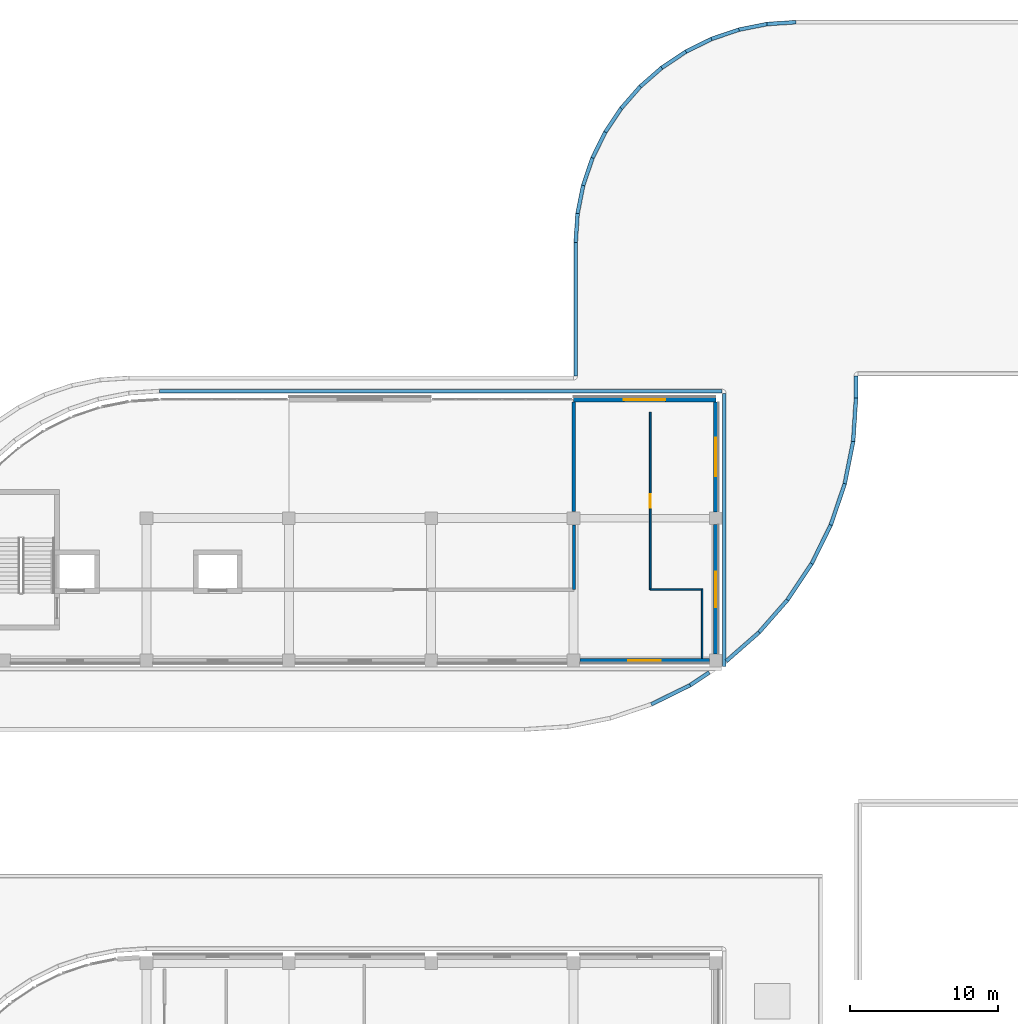
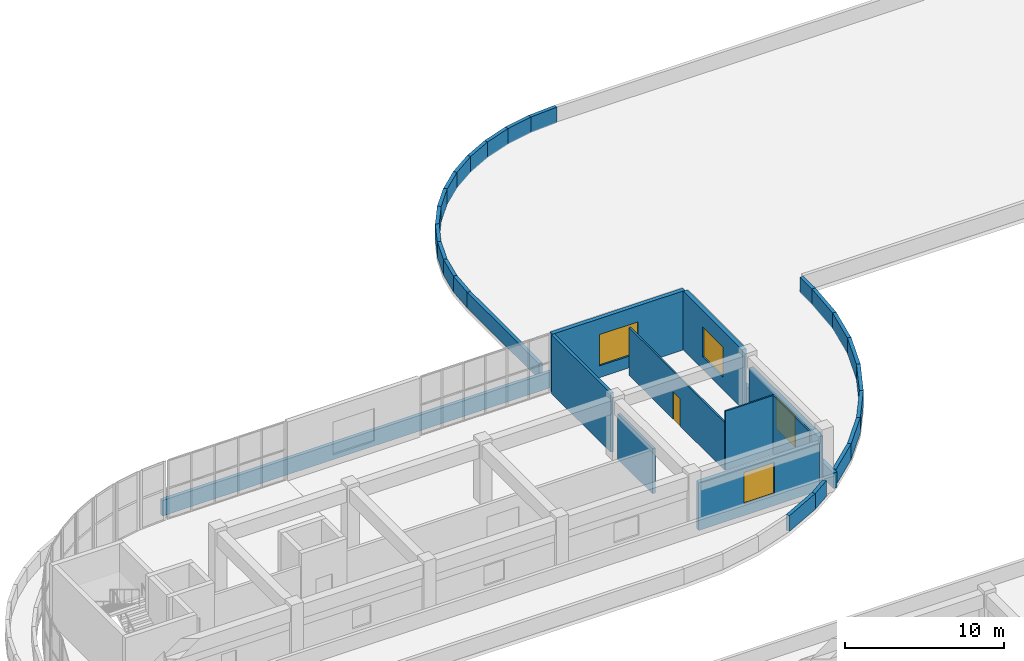
# One storey, part 48 of 67: 34 walls, 4 windows, 1 door, 5 openings.
"""IFC4 building model written with IfcOpenShell, lengths in metres."""

from ifc_helpers import new_model, si_unit, direction, frame, frame_2d, origin, place, context, subcontext, project, spatial, rectangle, extrude, material, layer, layer_set, type_object, element, fill, save


model = new_model("IFC4")

# Units and contexts
model_context = context("Model", 3, precision=1e-05, world=origin(), true_north=direction((0.0, 1.0)))
body_context = subcontext(model_context, "Body", "Model", "MODEL_VIEW")
ifc_project = project(units=[si_unit("LENGTHUNIT", "METRE"), si_unit("AREAUNIT", "SQUARE_METRE"), si_unit("VOLUMEUNIT", "CUBIC_METRE"), si_unit("PLANEANGLEUNIT", "RADIAN"), si_unit("MASSUNIT", "GRAM", prefix="KILO")], contexts=[model_context])

# Site, building, storey
site_placement = place(None, origin())
site = spatial("IfcSite", under=ifc_project, at=site_placement, CompositionType="ELEMENT")
building_placement = place(site_placement, origin())
building = spatial("IfcBuilding", under=site, at=building_placement, Name="Cendralis Terraced Arcade", CompositionType="ELEMENT")
storey_placement = place(building_placement, frame((0.0, 0.0, 15.0)))
storey = spatial("IfcBuildingStorey", under=building, at=storey_placement, Name="L03", CompositionType="ELEMENT", Elevation=15.0)

# Walls
ifc_material_1 = material(Name="Gypsum plasterboard acoustic partition", Category="concrete")
ifc_layer_1 = layer(ifc_material_1, 0.199951171875, Name="WL-ACOU-200")
ifc_layer_set_1 = layer_set([ifc_layer_1], Name="Gypsum plasterboard acoustic partition")
wall_type_1 = type_object("IfcWallType", Name="WL-ACOU-200", PredefinedType="PARTITIONING", material=ifc_layer_set_1)
wall_1_placement = place(storey_placement, frame((48.02001953125, 78.7548828125, 0.0), z_axis=(0.0, 0.0, 1.0), x_axis=(0.0, -1.0, 0.0)))
element("IfcWall", 1, at=wall_1_placement, inside=storey, type_object=wall_type_1, Name="Interior Partition Wall IW-L03-0546", PredefinedType="PARTITIONING", context=body_context, shape_type="SweptSolid", body=[
    extrude(rectangle(XDim=4.375, YDim=0.199951171875, at=frame_2d((2.1875, 0.0))), origin(), (0.0, 0.0, 1.0), 3.4599609375),
])
ifc_layer_2 = layer(ifc_material_1, 0.2099609375, Name="WL-ACOU-210")
ifc_layer_set_2 = layer_set([ifc_layer_2], Name="Gypsum plasterboard acoustic partition")
wall_type_2 = type_object("IfcWallType", Name="WL-ACOU-210", PredefinedType="PARTITIONING", material=ifc_layer_set_2)
wall_2_placement = place(storey_placement, frame((48.02001953125, 87.050048828125, 0.0), z_axis=(0.0, 0.0, 1.0), x_axis=(0.0, -1.0, 0.0)))
element("IfcWall", 2, at=wall_2_placement, inside=storey, type_object=wall_type_2, Name="Interior Partition Wall IW-L03-0544", PredefinedType="PARTITIONING", context=body_context, shape_type="SweptSolid", body=[
    extrude(rectangle(XDim=7.405029296875, YDim=0.2099609375, at=frame_2d((3.70263671875, 0.0))), origin(), (0.0, 0.0, 1.0), 4.52001953125),
])

# Wall, opening, window
ifc_material_2 = material(Name="Precast concrete f'c 40 MPa", Category="concrete")
ifc_layer_3 = layer(ifc_material_2, 0.300048828125, Name="WL-EXT-GRC-300")
ifc_layer_set_3 = layer_set([ifc_layer_3], Name="Precast concrete f'c 40 MPa")
wall_type_3 = type_object("IfcWallType", Name="WL-EXT-GRC-300", PredefinedType="SOLIDWALL", material=ifc_layer_set_3)
wall_3_placement = place(storey_placement, frame((48.0, 87.199951171875, 0.0), z_axis=(0.0, 0.0, 1.0), x_axis=(1.0, 0.0, 0.0)))
wall_3 = element("IfcWall", 3, at=wall_3_placement, inside=storey, type_object=wall_type_3, Name="Exterior Architectural Wall EW-L03-0275", PredefinedType="SOLIDWALL", context=body_context, shape_type="SweptSolid", body=[
    extrude(rectangle(XDim=9.60009765625, YDim=0.300048828125, at=frame_2d((4.800048828125, 0.0))), origin(), (0.0, 0.0, 1.0), 4.52001953125),
])
opening_1_placement = place(wall_3_placement, frame((3.39990234375, 0.0, 0.89990234375)))
opening_1 = element("IfcOpeningElement", 4, at=opening_1_placement, cuts=wall_3, Name="Opening W-09", PredefinedType="OPENING", context=body_context, shape_type="SweptSolid", body=[
    extrude(rectangle(XDim=2.800048828125, YDim=2.39990234375, at=frame_2d((1.39990234375, 1.199951171875))), frame((0.0, 0.162109375, 0.0), z_axis=(0.0, -1.0, 0.0), x_axis=(1.0, 0.0, 0.0)), (0.0, 0.0, 1.0), 0.323974609375),
])
ifc_material_3 = material(Name="Tempered solar control laminated glass", Category="glass")
window_type_1 = type_object("IfcWindowType", Name="WN-F2-2800x2400", PartitioningType="SINGLE_PANEL", PredefinedType="WINDOW", material=ifc_material_3)
window_1_placement = place(opening_1_placement, origin())
window_1 = element("IfcWindow", 5, at=window_1_placement, inside=storey, type_object=window_type_1, Name="Exterior Solar-Control Window WN-L03-0182", OverallHeight=2.39990234375, OverallWidth=2.800048828125, PartitioningType="SINGLE_PANEL", PredefinedType="WINDOW", context=body_context, shape_type="SweptSolid", body=[
    extrude(rectangle(XDim=2.800048828125, YDim=2.39990234375, at=frame_2d((1.39990234375, 1.199951171875))), frame((0.0, 0.030029296875, 0.0), z_axis=(0.0, -1.0, 0.0), x_axis=(1.0, 0.0, 0.0)), (0.0, 0.0, 1.0), 0.06005859375),
])
fill(opening_1, window_1)

wall_4_placement = place(storey_placement, frame((57.60009765625, 87.030029296875, 0.0), z_axis=(0.0, 0.0, 1.0), x_axis=(0.0, -1.0, 0.0)))
wall_4 = element("IfcWall", 6, at=wall_4_placement, inside=storey, type_object=wall_type_3, Name="Exterior Architectural Wall EW-L03-0276", PredefinedType="SOLIDWALL", context=body_context, shape_type="SweptSolid", body=[
    extrude(rectangle(XDim=7.406982421875, YDim=0.300048828125, at=frame_2d((3.70361328125, 0.0))), origin(), (0.0, 0.0, 1.0), 4.52001953125),
])
opening_2_placement = place(wall_4_placement, frame((2.403564453125, 0.0, 0.949951171875)))
opening_2 = element("IfcOpeningElement", 7, at=opening_2_placement, cuts=wall_4, Name="Opening W-10", PredefinedType="OPENING", context=body_context, shape_type="SweptSolid", body=[
    extrude(rectangle(XDim=2.60009765625, YDim=2.300048828125, at=frame_2d((1.300048828125, 1.14990234375))), frame((0.0, 0.162109375, 0.0), z_axis=(0.0, -1.0, 0.0), x_axis=(1.0, 0.0, 0.0)), (0.0, 0.0, 1.0), 0.323974609375),
])
window_type_2 = type_object("IfcWindowType", Name="WN-F2-2600x2300", PartitioningType="SINGLE_PANEL", PredefinedType="WINDOW", material=ifc_material_3)
window_2_placement = place(opening_2_placement, origin())
window_2 = element("IfcWindow", 8, at=window_2_placement, inside=storey, type_object=window_type_2, Name="Exterior Solar-Control Window WN-L03-0183", OverallHeight=2.300048828125, OverallWidth=2.60009765625, PartitioningType="SINGLE_PANEL", PredefinedType="WINDOW", context=body_context, shape_type="SweptSolid", body=[
    extrude(rectangle(XDim=2.60009765625, YDim=2.300048828125, at=frame_2d((1.300048828125, 1.14990234375))), frame((0.0, 0.030029296875, 0.0), z_axis=(0.0, -1.0, 0.0), x_axis=(1.0, 0.0, 0.0)), (0.0, 0.0, 1.0), 0.06005859375),
])
fill(opening_2, window_2)

wall_5_placement = place(storey_placement, frame((57.60009765625, 78.777099609375, 0.0), z_axis=(0.0, 0.0, 1.0), x_axis=(0.0, -1.0, 0.0)))
wall_5 = element("IfcWall", 9, at=wall_5_placement, inside=storey, type_object=wall_type_3, Name="Exterior Architectural Wall EW-L03-0277", PredefinedType="SOLIDWALL", context=body_context, shape_type="SweptSolid", body=[
    extrude(rectangle(XDim=8.754150390625, YDim=0.300048828125, at=frame_2d((4.376953125, 0.0))), origin(), (0.0, 0.0, 1.0), 3.6650390625),
])
opening_3_placement = place(wall_5_placement, frame((3.177001953125, 0.0, 0.89990234375)))
opening_3 = element("IfcOpeningElement", 10, at=opening_3_placement, cuts=wall_5, Name="Opening W-01", PredefinedType="OPENING", context=body_context, shape_type="SweptSolid", body=[
    extrude(rectangle(XDim=2.39990234375, YDim=2.39990234375, at=frame_2d((1.199951171875, 1.199951171875))), frame((0.0, 0.162109375, 0.0), z_axis=(0.0, -1.0, 0.0), x_axis=(1.0, 0.0, 0.0)), (0.0, 0.0, 1.0), 0.323974609375),
])
window_type_3 = type_object("IfcWindowType", Name="WN-F1-2400x2400", PartitioningType="SINGLE_PANEL", PredefinedType="WINDOW", material=ifc_material_3)
window_3_placement = place(opening_3_placement, origin())
window_3 = element("IfcWindow", 11, at=window_3_placement, inside=storey, type_object=window_type_3, Name="Exterior Solar-Control Window WN-L03-0184", OverallHeight=2.39990234375, OverallWidth=2.39990234375, PartitioningType="SINGLE_PANEL", PredefinedType="WINDOW", context=body_context, shape_type="SweptSolid", body=[
    extrude(rectangle(XDim=2.39990234375, YDim=2.39990234375, at=frame_2d((1.199951171875, 1.199951171875))), frame((0.0, 0.030029296875, 0.0), z_axis=(0.0, -1.0, 0.0), x_axis=(1.0, 0.0, 0.0)), (0.0, 0.0, 1.0), 0.06005859375),
])
fill(opening_3, window_3)

wall_6_placement = place(storey_placement, frame((57.177001953125, 69.60009765625, 0.0), z_axis=(0.0, 0.0, 1.0), x_axis=(-1.0, 0.0, 0.0)))
wall_6 = element("IfcWall", 12, at=wall_6_placement, inside=storey, type_object=wall_type_3, Name="Exterior Architectural Wall EW-L03-0278", PredefinedType="SOLIDWALL", context=body_context, shape_type="SweptSolid", body=[
    extrude(rectangle(XDim=8.75390625, YDim=0.300048828125, at=frame_2d((4.376953125, 0.0))), origin(), (0.0, 0.0, 1.0), 3.6650390625),
])
opening_4_placement = place(wall_6_placement, frame((3.277099609375, 0.0, 0.89990234375)))
opening_4 = element("IfcOpeningElement", 13, at=opening_4_placement, cuts=wall_6, Name="Opening W-02", PredefinedType="OPENING", context=body_context, shape_type="SweptSolid", body=[
    extrude(rectangle(XDim=2.199951171875, YDim=2.39990234375, at=frame_2d((1.10009765625, 1.199951171875))), frame((0.0, 0.162109375, 0.0), z_axis=(0.0, -1.0, 0.0), x_axis=(1.0, 0.0, 0.0)), (0.0, 0.0, 1.0), 0.323974609375),
])
window_type_4 = type_object("IfcWindowType", Name="WN-F1-2200x2400", PartitioningType="SINGLE_PANEL", PredefinedType="WINDOW", material=ifc_material_3)
window_4_placement = place(opening_4_placement, origin())
window_4 = element("IfcWindow", 14, at=window_4_placement, inside=storey, type_object=window_type_4, Name="Exterior Solar-Control Window WN-L03-0185", OverallHeight=2.39990234375, OverallWidth=2.199951171875, PartitioningType="SINGLE_PANEL", PredefinedType="WINDOW", context=body_context, shape_type="SweptSolid", body=[
    extrude(rectangle(XDim=2.199951171875, YDim=2.39990234375, at=frame_2d((1.10009765625, 1.199951171875))), frame((0.0, 0.030029296875, 0.0), z_axis=(0.0, -1.0, 0.0), x_axis=(1.0, 0.0, 0.0)), (0.0, 0.0, 1.0), 0.06005859375),
])
fill(opening_4, window_4)

# Walls
ifc_layer_4 = layer(ifc_material_2, 0.25, Name="WL-PAR-250")
ifc_layer_set_4 = layer_set([ifc_layer_4], Name="Precast concrete f'c 40 MPa")
wall_type_4 = type_object("IfcWallType", Name="WL-PAR-250", PredefinedType="PARAPET", material=ifc_layer_set_4)
wall_7_placement = place(storey_placement, frame((67.054931640625, 88.800048828125, 0.0), z_axis=(0.0, 0.0, 1.0), x_axis=(0.0, -1.0, 0.0)))
element("IfcWall", 15, at=wall_7_placement, inside=storey, type_object=wall_type_4, Name="Precast Concrete Roof Parapet Wall PAR-L03-201", PredefinedType="PARAPET", context=body_context, shape_type="SweptSolid", body=[
    extrude(rectangle(XDim=1.5, YDim=0.25, at=frame_2d((0.75, 0.0))), origin(), (0.0, 0.0, 1.0), 1.199951171875),
])
wall_8_placement = place(storey_placement, frame((67.055419921875, 87.3095703125, 0.0), z_axis=(0.0, 0.0, 1.0), x_axis=(-0.065450845618, -0.997855794596, 0.0)))
element("IfcWall", 16, at=wall_8_placement, inside=storey, type_object=wall_type_4, Name="Precast Concrete Roof Parapet Wall PAR-L03-202", PredefinedType="PARAPET", context=body_context, shape_type="SweptSolid", body=[
    extrude(rectangle(XDim=2.943115234375, YDim=0.25, at=frame_2d((1.4716796875, 0.0))), origin(), (0.0, 0.0, 1.0), 1.199951171875),
])
wall_9_placement = place(storey_placement, frame((66.865234375, 84.3916015625, 0.0), z_axis=(0.0, 0.0, 1.0), x_axis=(-0.195095122921, -0.980784325432, 0.0)))
element("IfcWall", 17, at=wall_9_placement, inside=storey, type_object=wall_type_4, Name="Precast Concrete Roof Parapet Wall PAR-L03-203", PredefinedType="PARAPET", context=body_context, shape_type="SweptSolid", body=[
    extrude(rectangle(XDim=2.943359375, YDim=0.25, at=frame_2d((1.4716796875, 0.0))), origin(), (0.0, 0.0, 1.0), 1.199951171875),
])
for number, where, z_axis, x_axis, name in (
    (18, (66.2958984375, 81.523193359375, 0.0), (0.0, 0.0, 1.0), (-0.321349477982, -0.946960671306, 0.0), "Precast Concrete Roof Parapet Wall PAR-L03-204"),
    (19, (65.357421875, 78.753662109375, 0.0), (0.0, 0.0, 1.0), (-0.442296140233, -0.896869067554, 0.0), "Precast Concrete Roof Parapet Wall PAR-L03-205"),
):
    element("IfcWall", number, at=place(storey_placement, frame(where, z_axis=z_axis, x_axis=x_axis)), inside=storey, type_object=wall_type_4, Name=name, PredefinedType="PARAPET", context=body_context, shape_type="SweptSolid", body=[
        extrude(rectangle(XDim=2.943115234375, YDim=0.25, at=frame_2d((1.4716796875, 0.0))), origin(), (0.0, 0.0, 1.0), 1.199951171875),
    ])
wall_10_placement = place(storey_placement, frame((64.06494140625, 76.130615234375, 0.0), z_axis=(0.0, 0.0, 1.0), x_axis=(-0.555561372883, -0.831475532388, 0.0)))
element("IfcWall", 20, at=wall_10_placement, inside=storey, type_object=wall_type_4, Name="Precast Concrete Roof Parapet Wall PAR-L03-206", PredefinedType="PARAPET", context=body_context, shape_type="SweptSolid", body=[
    extrude(rectangle(XDim=2.94287109375, YDim=0.25, at=frame_2d((1.471435546875, 0.0))), origin(), (0.0, 0.0, 1.0), 1.199951171875),
])
for number, where, z_axis, x_axis, name in (
    (21, (62.44140625, 73.698486328125, 0.0), (0.0, 0.0, 1.0), (-0.659302925836, -0.75187741819, 0.0), "Precast Concrete Roof Parapet Wall PAR-L03-207"),
    (22, (60.514404296875, 71.4990234375, 0.0), (0.0, 0.0, 1.0), (-0.75187741819, -0.659302925836, 0.0), "Precast Concrete Roof Parapet Wall PAR-L03-208"),
):
    element("IfcWall", number, at=place(storey_placement, frame(where, z_axis=z_axis, x_axis=x_axis)), inside=storey, type_object=wall_type_4, Name=name, PredefinedType="PARAPET", context=body_context, shape_type="SweptSolid", body=[
        extrude(rectangle(XDim=2.943115234375, YDim=0.25, at=frame_2d((1.4716796875, 0.0))), origin(), (0.0, 0.0, 1.0), 1.199951171875),
    ])
wall_11_placement = place(storey_placement, frame((58.1650390625, 69.197509765625, 0.0), z_axis=(0.0, 0.0, 1.0), x_axis=(0.0, 1.0, 0.0)))
element("IfcWall", 23, at=wall_11_placement, inside=storey, type_object=wall_type_4, Name="Precast Concrete Roof Parapet Wall PAR-L03-209", PredefinedType="PARAPET", context=body_context, shape_type="SweptSolid", body=[
    extrude(rectangle(XDim=18.422607421875, YDim=0.25, at=frame_2d((9.21142578125, 0.0))), origin(), (0.0, 0.0, 1.0), 1.199951171875),
])
wall_12_placement = place(storey_placement, frame((58.02001953125, 87.764892578125, 0.0), z_axis=(0.0, 0.0, 1.0), x_axis=(-1.0, 0.0, 0.0)))
element("IfcWall", 24, at=wall_12_placement, inside=storey, type_object=wall_type_4, Name="Precast Concrete Roof Parapet Wall PAR-L03-210", PredefinedType="PARAPET", context=body_context, shape_type="SweptSolid", body=[
    extrude(rectangle(XDim=37.933837890625, YDim=0.25, at=frame_2d((18.966796875, 0.0))), origin(), (0.0, 0.0, 1.0), 1.199951171875),
])
wall_13_placement = place(storey_placement, frame((57.156494140625, 68.794921875, 0.0), z_axis=(0.0, 0.0, 1.0), x_axis=(-0.831516077064, -0.555500687295, 0.0)))
element("IfcWall", 25, at=wall_13_placement, inside=storey, type_object=wall_type_4, Name="Precast Concrete Roof Parapet Wall PAR-L03-225", PredefinedType="PARAPET", context=body_context, shape_type="SweptSolid", body=[
    extrude(rectangle(XDim=1.5478515625, YDim=0.25, at=frame_2d((0.77392578125, 0.0))), origin(), (0.0, 0.0, 1.0), 1.199951171875),
])
wall_14_placement = place(storey_placement, frame((55.885986328125, 67.9443359375, 0.0), z_axis=(0.0, 0.0, 1.0), x_axis=(-0.896869067554, -0.442296140233, 0.0)))
element("IfcWall", 26, at=wall_14_placement, inside=storey, type_object=wall_type_4, Name="Precast Concrete Roof Parapet Wall PAR-L03-226", PredefinedType="PARAPET", context=body_context, shape_type="SweptSolid", body=[
    extrude(rectangle(XDim=2.943115234375, YDim=0.25, at=frame_2d((1.4716796875, 0.0))), origin(), (0.0, 0.0, 1.0), 1.199951171875),
])
wall_15_placement = place(storey_placement, frame((48.14501953125, 88.800048828125, 0.0), z_axis=(0.0, 0.0, 1.0), x_axis=(0.0, 1.0, 0.0)))
element("IfcWall", 27, at=wall_15_placement, inside=storey, type_object=wall_type_4, Name="Precast Concrete Roof Parapet Wall PAR-L03-245", PredefinedType="PARAPET", context=body_context, shape_type="SweptSolid", body=[
    extrude(rectangle(XDim=9.0, YDim=0.25, at=frame_2d((4.5, 0.0))), origin(), (0.0, 0.0, 1.0), 1.199951171875),
])
wall_16_placement = place(storey_placement, frame((48.144775390625, 97.79052734375, 0.0), z_axis=(0.0, 0.0, 1.0), x_axis=(0.065329649797, 0.997863736618, 0.0)))
element("IfcWall", 28, at=wall_16_placement, inside=storey, type_object=wall_type_4, Name="Precast Concrete Roof Parapet Wall PAR-L03-246", PredefinedType="PARAPET", context=body_context, shape_type="SweptSolid", body=[
    extrude(rectangle(XDim=1.9619140625, YDim=0.25, at=frame_2d((0.98095703125, 0.0))), origin(), (0.0, 0.0, 1.0), 1.199951171875),
])
wall_17_placement = place(storey_placement, frame((48.2705078125, 99.7294921875, 0.0), z_axis=(0.0, 0.0, 1.0), x_axis=(0.195087187285, 0.980785903935, 0.0)))
element("IfcWall", 29, at=wall_17_placement, inside=storey, type_object=wall_type_4, Name="Precast Concrete Roof Parapet Wall PAR-L03-247", PredefinedType="PARAPET", context=body_context, shape_type="SweptSolid", body=[
    extrude(rectangle(XDim=1.962158203125, YDim=0.25, at=frame_2d((0.98095703125, 0.0))), origin(), (0.0, 0.0, 1.0), 1.199951171875),
])
for number, where, z_axis, x_axis, name in (
    (30, (48.6484375, 101.6357421875, 0.0), (0.0, 0.0, 1.0), (0.321411915774, 0.946939480853, 0.0), "Precast Concrete Roof Parapet Wall PAR-L03-248"),
    (31, (49.271728515625, 103.476318359375, 0.0), (0.0, 0.0, 1.0), (0.442378865867, 0.896828266188, 0.0), "Precast Concrete Roof Parapet Wall PAR-L03-249"),
):
    element("IfcWall", number, at=place(storey_placement, frame(where, z_axis=z_axis, x_axis=x_axis)), inside=storey, type_object=wall_type_4, Name=name, PredefinedType="PARAPET", context=body_context, shape_type="SweptSolid", body=[
        extrude(rectangle(XDim=1.9619140625, YDim=0.25, at=frame_2d((0.98095703125, 0.0))), origin(), (0.0, 0.0, 1.0), 1.199951171875),
    ])
for number, where, z_axis, x_axis, name in (
    (32, (50.130126953125, 105.219482421875, 0.0), (0.0, 0.0, 1.0), (0.555590048032, 0.831456371993, 0.0), "Precast Concrete Roof Parapet Wall PAR-L03-250"),
    (33, (51.208740234375, 106.835693359375, 0.0), (0.0, 0.0, 1.0), (0.659305812587, 0.751874886859, 0.0), "Precast Concrete Roof Parapet Wall PAR-L03-251"),
):
    element("IfcWall", number, at=place(storey_placement, frame(where, z_axis=z_axis, x_axis=x_axis)), inside=storey, type_object=wall_type_4, Name=name, PredefinedType="PARAPET", context=body_context, shape_type="SweptSolid", body=[
        extrude(rectangle(XDim=1.962158203125, YDim=0.25, at=frame_2d((0.98095703125, 0.0))), origin(), (0.0, 0.0, 1.0), 1.199951171875),
    ])
wall_18_placement = place(storey_placement, frame((52.489013671875, 108.297607421875, 0.0), z_axis=(0.0, 0.0, 1.0), x_axis=(0.751820795519, 0.659367493455, 0.0)))
element("IfcWall", 34, at=wall_18_placement, inside=storey, type_object=wall_type_4, Name="Precast Concrete Roof Parapet Wall PAR-L03-252", PredefinedType="PARAPET", context=body_context, shape_type="SweptSolid", body=[
    extrude(rectangle(XDim=1.9619140625, YDim=0.25, at=frame_2d((0.98095703125, 0.0))), origin(), (0.0, 0.0, 1.0), 1.199951171875),
])
wall_19_placement = place(storey_placement, frame((53.94921875, 109.57958984375, 0.0), z_axis=(0.0, 0.0, 1.0), x_axis=(0.831398890173, 0.555676061585, 0.0)))
element("IfcWall", 35, at=wall_19_placement, inside=storey, type_object=wall_type_4, Name="Precast Concrete Roof Parapet Wall PAR-L03-253", PredefinedType="PARAPET", context=body_context, shape_type="SweptSolid", body=[
    extrude(rectangle(XDim=1.962158203125, YDim=0.25, at=frame_2d((0.98095703125, 0.0))), origin(), (0.0, 0.0, 1.0), 1.199951171875),
])
for number, where, z_axis, x_axis, name in (
    (36, (55.564208984375, 110.660400390625, 0.0), (0.0, 0.0, 1.0), (0.896828266188, 0.442378865867, 0.0), "Precast Concrete Roof Parapet Wall PAR-L03-254"),
    (37, (57.306396484375, 111.52099609375, 0.0), (0.0, 0.0, 1.0), (0.946939480853, 0.321411915774, 0.0), "Precast Concrete Roof Parapet Wall PAR-L03-255"),
    (38, (59.14599609375, 112.146728515625, 0.0), (0.0, 0.0, 1.0), (0.980781167848, 0.19511099609, 0.0), "Precast Concrete Roof Parapet Wall PAR-L03-256"),
):
    element("IfcWall", number, at=place(storey_placement, frame(where, z_axis=z_axis, x_axis=x_axis)), inside=storey, type_object=wall_type_4, Name=name, PredefinedType="PARAPET", context=body_context, shape_type="SweptSolid", body=[
        extrude(rectangle(XDim=1.9619140625, YDim=0.25, at=frame_2d((0.98095703125, 0.0))), origin(), (0.0, 0.0, 1.0), 1.199951171875),
    ])
wall_20_placement = place(storey_placement, frame((61.051513671875, 112.527099609375, 0.0), z_axis=(0.0, 0.0, 1.0), x_axis=(0.997864267614, 0.065321538715, 0.0)))
element("IfcWall", 39, at=wall_20_placement, inside=storey, type_object=wall_type_4, Name="Precast Concrete Roof Parapet Wall PAR-L03-257", PredefinedType="PARAPET", context=body_context, shape_type="SweptSolid", body=[
    extrude(rectangle(XDim=1.962158203125, YDim=0.25, at=frame_2d((0.98095703125, 0.0))), origin(), (0.0, 0.0, 1.0), 1.199951171875),
])
ifc_layer_5 = layer(ifc_material_1, 0.10791015625, Name="WL-PART-108")
ifc_layer_set_5 = layer_set([ifc_layer_5], Name="Gypsum plasterboard acoustic partition")
wall_type_5 = type_object("IfcWallType", Name="WL-PART-108", PredefinedType="PARTITIONING", material=ifc_layer_set_5)
wall_21_placement = place(storey_placement, frame((56.679931640625, 69.75, 0.0), z_axis=(0.0, 0.0, 1.0), x_axis=(0.0, 1.0, 0.0)))
element("IfcWall", 40, at=wall_21_placement, inside=storey, type_object=wall_type_5, Name="Interior Partition Wall IW-L03-0542", PredefinedType="PARTITIONING", context=body_context, shape_type="SweptSolid", body=[
    extrude(rectangle(XDim=4.68603515625, YDim=0.10791015625, at=frame_2d((2.343017578125, 0.0))), origin(), (0.0, 0.0, 1.0), 4.52001953125),
])
ifc_layer_6 = layer(ifc_material_1, 0.112060546875, Name="WL-PART-112")
ifc_layer_set_6 = layer_set([ifc_layer_6], Name="Gypsum plasterboard acoustic partition")
wall_type_6 = type_object("IfcWallType", Name="WL-PART-112", PredefinedType="PARTITIONING", material=ifc_layer_set_6)
wall_22_placement = place(storey_placement, frame((56.6259765625, 74.3798828125, 0.0), z_axis=(0.0, 0.0, 1.0), x_axis=(-1.0, 0.0, 0.0)))
element("IfcWall", 41, at=wall_22_placement, inside=storey, type_object=wall_type_6, Name="Interior Partition Wall IW-L03-0541", PredefinedType="PARTITIONING", context=body_context, shape_type="SweptSolid", body=[
    extrude(rectangle(XDim=3.446044921875, YDim=0.112060546875, at=frame_2d((1.72314453125, 0.0))), origin(), (0.0, 0.0, 1.0), 4.52001953125),
])

# Wall, opening, door
ifc_layer_7 = layer(ifc_material_1, 0.114990234375, Name="WL-PART-115")
ifc_layer_set_7 = layer_set([ifc_layer_7], Name="Gypsum plasterboard acoustic partition")
wall_type_7 = type_object("IfcWallType", Name="WL-PART-115", PredefinedType="PARTITIONING", material=ifc_layer_set_7)
wall_23_placement = place(storey_placement, frame((53.179931640625, 74.3798828125, 0.0), z_axis=(0.0, 0.0, 1.0), x_axis=(0.0, 1.0, 0.0)))
wall_23 = element("IfcWall", 42, at=wall_23_placement, inside=storey, type_object=wall_type_7, Name="Interior Partition Wall IW-L03-0540", PredefinedType="PARTITIONING", context=body_context, shape_type="SweptSolid", body=[
    extrude(rectangle(XDim=11.980224609375, YDim=0.114990234375, at=frame_2d((5.990234375, 0.0))), origin(), (0.0, 0.0, 1.0), 3.6650390625),
])
opening_5_placement = place(wall_23_placement, frame((5.530029296875, 0.0, 0.0)))
opening_5 = element("IfcOpeningElement", 43, at=opening_5_placement, cuts=wall_23, Name="Opening D-L03-144", PredefinedType="OPENING", context=body_context, shape_type="SweptSolid", body=[
    extrude(rectangle(XDim=0.919921875, YDim=2.10009765625, at=frame_2d((0.4599609375, 1.050048828125))), frame((0.0, 0.0693359375, 0.0), z_axis=(0.0, -1.0, 0.0), x_axis=(1.0, 0.0, 0.0)), (0.0, 0.0, 1.0), 0.138916015625),
])
ifc_material_4 = material(Name="Solid core Andean oak veneer door leaf", Category="aluminium")
door_type = type_object("IfcDoorType", Name="ID-RM-0920x2100", OperationType="NOTDEFINED", PredefinedType="DOOR", material=ifc_material_4)
door_placement = place(opening_5_placement, origin())
door = element("IfcDoor", 44, at=door_placement, inside=storey, type_object=door_type, Name="Electronics and Media Gallery Door D-L03-144", OperationType="SINGLE_SWING_RIGHT", OverallHeight=2.10009765625, OverallWidth=0.919921875, PredefinedType="DOOR", context=body_context, shape_type="SweptSolid", body=[
    extrude(rectangle(XDim=0.919921875, YDim=2.10009765625, at=frame_2d((0.4599609375, 1.050048828125))), frame((0.0, 0.02490234375, 0.0), z_axis=(0.0, -1.0, 0.0), x_axis=(1.0, 0.0, 0.0)), (0.0, 0.0, 1.0), 0.050048828125),
])
fill(opening_5, door)

save(model, "model.ifc")
